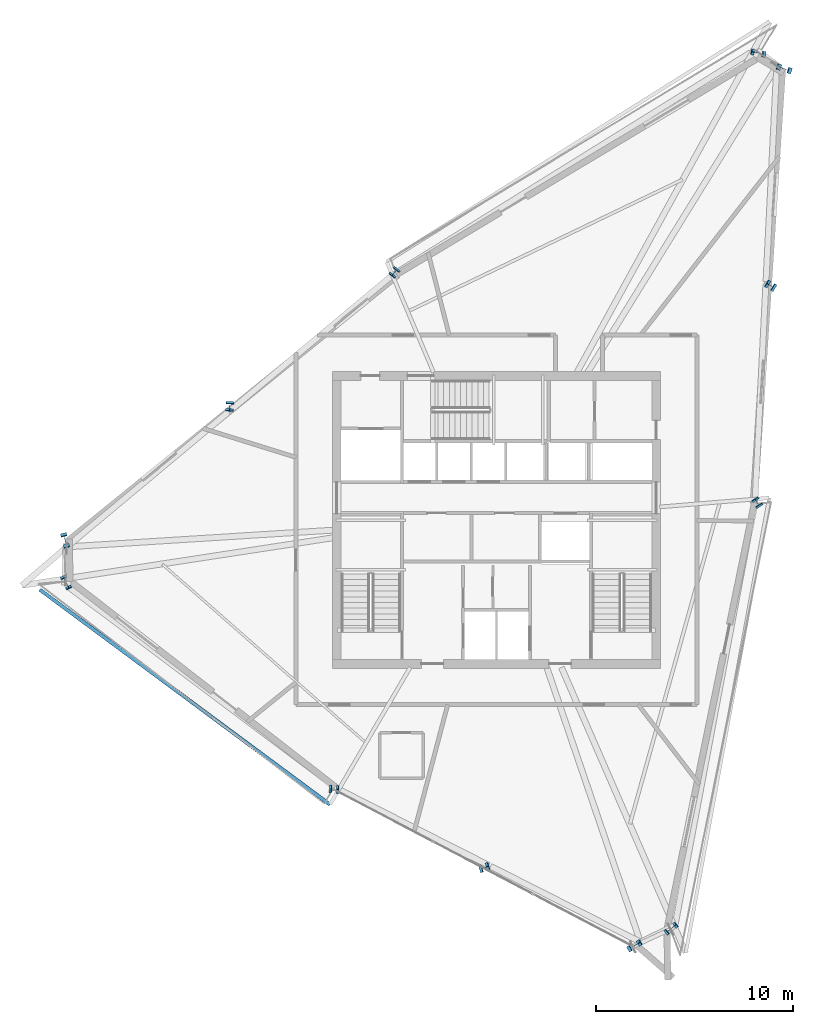
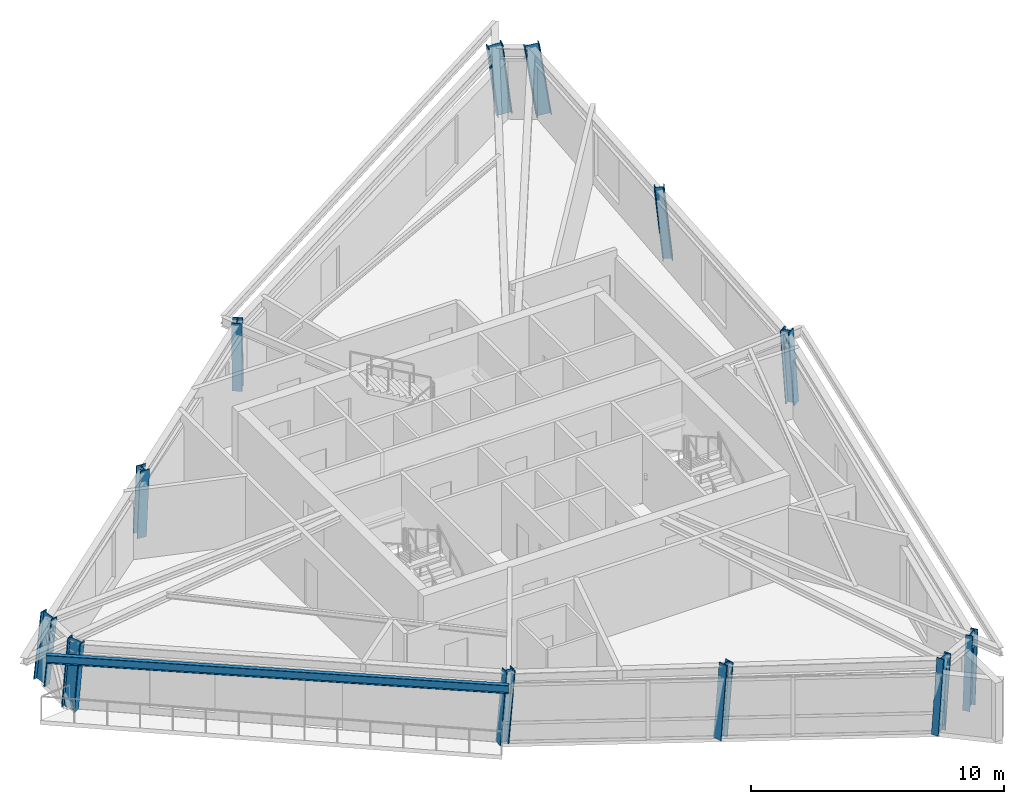
# One storey, part 1 of 14: 12 columns, 1 beam.
"""IFC4 building model written with IfcOpenShell, lengths in metres."""

from ifc_helpers import new_model, si_unit, direction, frame, origin, origin_2d, place, context, subcontext, project, spatial, i_section, extrude, source, transform, mapped, material, material_profile, profile_set, type_object, element, save


model = new_model("IFC4")

# Units and contexts
model_context = context("Model", 3, precision=1e-05, world=origin(), true_north=direction((0.0, 1.0)))
body_context = subcontext(model_context, "Body", "Model", "MODEL_VIEW")
ifc_project = project(units=[si_unit("LENGTHUNIT", "METRE"), si_unit("AREAUNIT", "SQUARE_METRE"), si_unit("VOLUMEUNIT", "CUBIC_METRE"), si_unit("PLANEANGLEUNIT", "RADIAN"), si_unit("MASSUNIT", "GRAM", prefix="KILO")], contexts=[model_context])

# Site, building, storey
site_placement = place(None, origin())
site = spatial("IfcSite", under=ifc_project, at=site_placement, CompositionType="ELEMENT")
building_placement = place(site_placement, origin())
building = spatial("IfcBuilding", under=site, at=building_placement, Name="Olszyna Solenne Hotel", CompositionType="ELEMENT")
storey_placement = place(building_placement, frame((0.0, 0.0, 274.10009765625)))
storey = spatial("IfcBuildingStorey", under=building, at=storey_placement, Name="L73", CompositionType="ELEMENT", Elevation=274.10009765625)

# Columns
ifc_material_1 = material(Name="Steel S460M", Category="steel")
ifc_material_profile_1 = material_profile(ifc_material_1, i_section(OverallWidth=0.304931640625, OverallDepth=0.6201171875, WebThickness=0.02099609375, FlangeThickness=0.0400390625, at=origin_2d()), Name="HEM 600", Category="load-bearing")
ifc_profile_set_1 = profile_set([ifc_material_profile_1], Name="Steel S460M")
column_type_1 = type_object("IfcColumnType", Name="COL-K3", PredefinedType="COLUMN", material=ifc_profile_set_1)
shared_shape_1 = source(origin(), body_context, "Body", "SweptSolid", [
    extrude(i_section(OverallWidth=0.304931640625, OverallDepth=0.6201171875, WebThickness=0.02099609375, FlangeThickness=0.0400390625, at=origin_2d()), origin(), (0.0, 0.0, 1.0), 3.448974609375),
])
column_1_placement = place(storey_placement, frame((46.835693359375, 5.7734375, 0.0), z_axis=(0.070221852899, 0.05670131469, 0.99591859722), x_axis=(-0.628227565106, 0.778029643677, 0.0)))
element("IfcColumn", 1, at=column_1_placement, inside=storey, type_object=column_type_1, Name="Perimeter framed-tube column COL-K3 C-L73-10", PredefinedType="COLUMN", context=body_context, shape_type="MappedRepresentation", body=[
    mapped(shared_shape_1, transform((0.0, 0.0, 0.0), x_axis=(1.0, 0.0, 0.0), y_axis=(0.0, 1.0, 0.0), z_axis=(0.0, 0.0, 1.0), scale=1.0)),
])
shared_shape_2 = source(origin(), body_context, "Body", "SweptSolid", [
    extrude(i_section(OverallWidth=0.304931640625, OverallDepth=0.6201171875, WebThickness=0.02099609375, FlangeThickness=0.0400390625, at=origin_2d()), origin(), (0.0, 0.0, 1.0), 3.468994140625),
])
column_2_placement = place(storey_placement, frame((52.711181640625, 49.513671875, 0.0), z_axis=(-0.13280190152, 0.044619186838, 0.990137759667), x_axis=(-0.318487425697, -0.947927085631, 0.0)))
element("IfcColumn", 2, at=column_2_placement, inside=storey, type_object=column_type_1, Name="Perimeter framed-tube column COL-K3 C-L73-01", PredefinedType="COLUMN", context=body_context, shape_type="MappedRepresentation", body=[
    mapped(shared_shape_2, transform((0.0, 0.0, 0.0), x_axis=(1.0, 0.0, 0.0), y_axis=(0.0, 1.0, 0.0), z_axis=(0.0, 0.0, 1.0), scale=1.0)),
])
shared_shape_3 = source(origin(), body_context, "Body", "SweptSolid", [
    extrude(i_section(OverallWidth=0.304931640625, OverallDepth=0.6201171875, WebThickness=0.02099609375, FlangeThickness=0.0400390625, at=origin_2d()), origin(), (0.0, 0.0, 1.0), 3.457763671875),
])
column_3_placement = place(storey_placement, frame((51.379638671875, 50.32470703125, 0.0), z_axis=(-0.112336130826, 0.024288893152, 0.993373365548), x_axis=(-0.211332792528, -0.97741416544, 0.0)))
element("IfcColumn", 3, at=column_3_placement, inside=storey, type_object=column_type_1, Name="Perimeter framed-tube column COL-K3 C-L73-02", PredefinedType="COLUMN", context=body_context, shape_type="MappedRepresentation", body=[
    mapped(shared_shape_3, transform((0.0, 0.0, 0.0), x_axis=(1.0, 0.0, 0.0), y_axis=(0.0, 1.0, 0.0), z_axis=(0.0, 0.0, 1.0), scale=1.0)),
])
ifc_material_profile_2 = material_profile(ifc_material_1, i_section(OverallWidth=0.40087890625, OverallDepth=0.39892578125, WebThickness=0.02197265625, FlangeThickness=0.034423828125, at=origin_2d()), Name="HD 400x314", Category="load-bearing")
ifc_profile_set_2 = profile_set([ifc_material_profile_2], Name="Steel S460M")
column_type_2 = type_object("IfcColumnType", Name="COL-T5", PredefinedType="COLUMN", material=ifc_profile_set_2)
shared_shape_4 = source(origin(), body_context, "Body", "SweptSolid", [
    extrude(i_section(OverallWidth=0.40087890625, OverallDepth=0.39892578125, WebThickness=0.02197265625, FlangeThickness=0.034423828125, at=origin_2d()), origin(), (0.0, 0.0, 1.0), 3.443359375),
])
column_4_placement = place(storey_placement, frame((32.8388671875, 39.222412109375, 0.0), z_axis=(-0.043464072113, -0.054879595131, 0.99754654251), x_axis=(0.783922584395, -0.620858584282, 0.0)))
element("IfcColumn", 4, at=column_4_placement, inside=storey, type_object=column_type_2, Name="Perimeter framed-tube column COL-T5 C-L73-03", PredefinedType="COLUMN", context=body_context, shape_type="MappedRepresentation", body=[
    mapped(shared_shape_4, transform((0.0, 0.0, 0.0), x_axis=(1.0, 0.0, 0.0), y_axis=(0.0, 1.0, 0.0), z_axis=(0.0, 0.0, 1.0), scale=1.0)),
])
shared_shape_5 = source(origin(), body_context, "Body", "SweptSolid", [
    extrude(i_section(OverallWidth=0.40087890625, OverallDepth=0.39892578125, WebThickness=0.02197265625, FlangeThickness=0.034423828125, at=origin_2d()), origin(), (0.0, 0.0, 1.0), 3.447509765625),
])
column_5_placement = place(storey_placement, frame((24.44091796875, 32.42333984375, 0.0), z_axis=(-0.006940259878, -0.085053592994, 0.996352206357), x_axis=(0.996687362069, -0.081328360935, 0.0)))
element("IfcColumn", 5, at=column_5_placement, inside=storey, type_object=column_type_2, Name="Perimeter framed-tube column COL-T5 C-L73-04", PredefinedType="COLUMN", context=body_context, shape_type="MappedRepresentation", body=[
    mapped(shared_shape_5, transform((0.0, 0.0, 0.0), x_axis=(1.0, 0.0, 0.0), y_axis=(0.0, 1.0, 0.0), z_axis=(0.0, 0.0, 1.0), scale=1.0)),
])
shared_shape_6 = source(origin(), body_context, "Body", "SweptSolid", [
    extrude(i_section(OverallWidth=0.304931640625, OverallDepth=0.6201171875, WebThickness=0.02099609375, FlangeThickness=0.0400390625, at=origin_2d()), origin(), (0.0, 0.0, 1.0), 3.459228515625),
])
column_6_placement = place(storey_placement, frame((16.042724609375, 25.624267578125, 0.0), z_axis=(0.02943041208, -0.114898587211, 0.992941169205), x_axis=(0.96872623949, 0.248131966749, 0.0)))
element("IfcColumn", 6, at=column_6_placement, inside=storey, type_object=column_type_1, Name="Perimeter framed-tube column COL-K3 C-L73-05", PredefinedType="COLUMN", context=body_context, shape_type="MappedRepresentation", body=[
    mapped(shared_shape_6, transform((0.0, 0.0, 0.0), x_axis=(1.0, 0.0, 0.0), y_axis=(0.0, 1.0, 0.0), z_axis=(0.0, 0.0, 1.0), scale=1.0)),
])
shared_shape_7 = source(origin(), body_context, "Body", "SweptSolid", [
    extrude(i_section(OverallWidth=0.304931640625, OverallDepth=0.6201171875, WebThickness=0.02099609375, FlangeThickness=0.0400390625, at=origin_2d()), origin(), (0.0, 0.0, 1.0), 3.447021484375),
])
column_7_placement = place(storey_placement, frame((16.08447265625, 23.4638671875, 0.0), z_axis=(0.037891151836, -0.075428180757, 0.996431056401), x_axis=(0.893586568381, 0.448890905243, 0.0)))
element("IfcColumn", 7, at=column_7_placement, inside=storey, type_object=column_type_1, Name="Perimeter framed-tube column COL-K3 C-L73-06", PredefinedType="COLUMN", context=body_context, shape_type="MappedRepresentation", body=[
    mapped(shared_shape_7, transform((0.0, 0.0, 0.0), x_axis=(1.0, 0.0, 0.0), y_axis=(0.0, 1.0, 0.0), z_axis=(0.0, 0.0, 1.0), scale=1.0)),
])
shared_shape_8 = source(origin(), body_context, "Body", "SweptSolid", [
    extrude(i_section(OverallWidth=0.40087890625, OverallDepth=0.39892578125, WebThickness=0.02197265625, FlangeThickness=0.034423828125, at=origin_2d()), origin(), (0.0, 0.0, 1.0), 3.446533203125),
])
column_8_placement = place(storey_placement, frame((29.691650390625, 12.901611328125, 0.0), z_axis=(0.082663911936, -0.003541727161, 0.996571188542), x_axis=(0.042805630631, 0.999083418933, 0.0)))
element("IfcColumn", 8, at=column_8_placement, inside=storey, type_object=column_type_2, Name="Perimeter framed-tube column COL-T5 C-L73-07", PredefinedType="COLUMN", context=body_context, shape_type="MappedRepresentation", body=[
    mapped(shared_shape_8, transform((0.0, 0.0, 0.0), x_axis=(1.0, 0.0, 0.0), y_axis=(0.0, 1.0, 0.0), z_axis=(0.0, 0.0, 1.0), scale=1.0)),
])
shared_shape_9 = source(origin(), body_context, "Body", "SweptSolid", [
    extrude(i_section(OverallWidth=0.40087890625, OverallDepth=0.39892578125, WebThickness=0.02197265625, FlangeThickness=0.034423828125, at=origin_2d()), origin(), (0.0, 0.0, 1.0), 3.4521484375),
])
for number, where, z_axis, x_axis, name in (
    (9, (37.319091796875, 8.90087890625, 0.0), (0.095472332547, 0.030551146415, 0.994963145634), (-0.304775727104, 0.952424147199, 0.0), "Perimeter framed-tube column COL-T5 C-L73-08"),
    (10, (51.996826171875, 38.477294921875, 0.0), (-0.085433681013, 0.051627969487, 0.995005346174), (-0.517202143643, -0.855863273316, 0.0), "Perimeter framed-tube column COL-T5 C-L73-12"),
):
    element("IfcColumn", number, at=place(storey_placement, frame(where, z_axis=z_axis, x_axis=x_axis)), inside=storey, type_object=column_type_2, Name=name, PredefinedType="COLUMN", context=body_context, shape_type="MappedRepresentation", body=[
        mapped(shared_shape_9, transform((0.0, 0.0, 0.0), x_axis=(1.0, 0.0, 0.0), y_axis=(0.0, 1.0, 0.0), z_axis=(0.0, 0.0, 1.0), scale=1.0)),
    ])
shared_shape_10 = source(origin(), body_context, "Body", "SweptSolid", [
    extrude(i_section(OverallWidth=0.304931640625, OverallDepth=0.6201171875, WebThickness=0.02099609375, FlangeThickness=0.0400390625, at=origin_2d()), origin(), (0.0, 0.0, 1.0), 3.46240234375),
])
column_9_placement = place(storey_placement, frame((44.9462890625, 4.900390625, 0.0), z_axis=(0.108166795995, 0.064378282101, 0.992046057922), x_axis=(-0.511444466069, 0.859316331817, 0.0)))
element("IfcColumn", 11, at=column_9_placement, inside=storey, type_object=column_type_1, Name="Perimeter framed-tube column COL-K3 C-L73-09", PredefinedType="COLUMN", context=body_context, shape_type="MappedRepresentation", body=[
    mapped(shared_shape_10, transform((0.0, 0.0, 0.0), x_axis=(1.0, 0.0, 0.0), y_axis=(0.0, 1.0, 0.0), z_axis=(0.0, 0.0, 1.0), scale=1.0)),
])
shared_shape_11 = source(origin(), body_context, "Body", "SweptSolid", [
    extrude(i_section(OverallWidth=0.40087890625, OverallDepth=0.39892578125, WebThickness=0.02197265625, FlangeThickness=0.034423828125, at=origin_2d()), origin(), (0.0, 0.0, 1.0), 3.443115234375),
])
column_10_placement = place(storey_placement, frame((51.282470703125, 27.44091796875, 0.0), z_axis=(-0.037367888367, 0.058498117463, 0.997587896464), x_axis=(-0.84273487862, -0.538328825494, 0.0)))
element("IfcColumn", 12, at=column_10_placement, inside=storey, type_object=column_type_2, Name="Perimeter framed-tube column COL-T5 C-L73-11", PredefinedType="COLUMN", context=body_context, shape_type="MappedRepresentation", body=[
    mapped(shared_shape_11, transform((0.0, 0.0, 0.0), x_axis=(1.0, 0.0, 0.0), y_axis=(0.0, 1.0, 0.0), z_axis=(0.0, 0.0, 1.0), scale=1.0)),
])

# Beam
ifc_material_2 = material(Name="Steel S355J2", Category="steel")
ifc_material_profile_3 = material_profile(ifc_material_2, i_section(OverallWidth=0.179931640625, OverallDepth=0.39990234375, WebThickness=0.008544921875, FlangeThickness=0.013427734375, at=origin_2d()), Name="IPE 400", Category="load-bearing")
ifc_profile_set_3 = profile_set([ifc_material_profile_3], Name="Steel S355J2")
beam_type = type_object("IfcBeamType", Name="BM-F5", PredefinedType="BEAM", material=ifc_profile_set_3)
shared_shape_12 = source(origin(), body_context, "Body", "SweptSolid", [
    extrude(i_section(OverallWidth=0.179931640625, OverallDepth=0.39990234375, WebThickness=0.008544921875, FlangeThickness=0.013427734375, at=origin_2d()), origin(), (0.0, 0.0, 1.0), 18.366455078125),
])
beam_placement = place(storey_placement, frame((14.771240234375, 23.052978515625, 3.119873046875), z_axis=(0.803509859489, -0.595291446019, 0.0), x_axis=(0.595291446019, 0.803509859489, 0.0)))
element("IfcBeam", 13, at=beam_placement, inside=storey, type_object=beam_type, Name="Loggia outer edge beam BM-F5 B-L73-2166", PredefinedType="BEAM", context=body_context, shape_type="MappedRepresentation", body=[
    mapped(shared_shape_12, transform((0.0, 0.0, 0.0), x_axis=(1.0, 0.0, 0.0), y_axis=(0.0, 1.0, 0.0), z_axis=(0.0, 0.0, 1.0), scale=1.0)),
])

save(model, "model.ifc")
